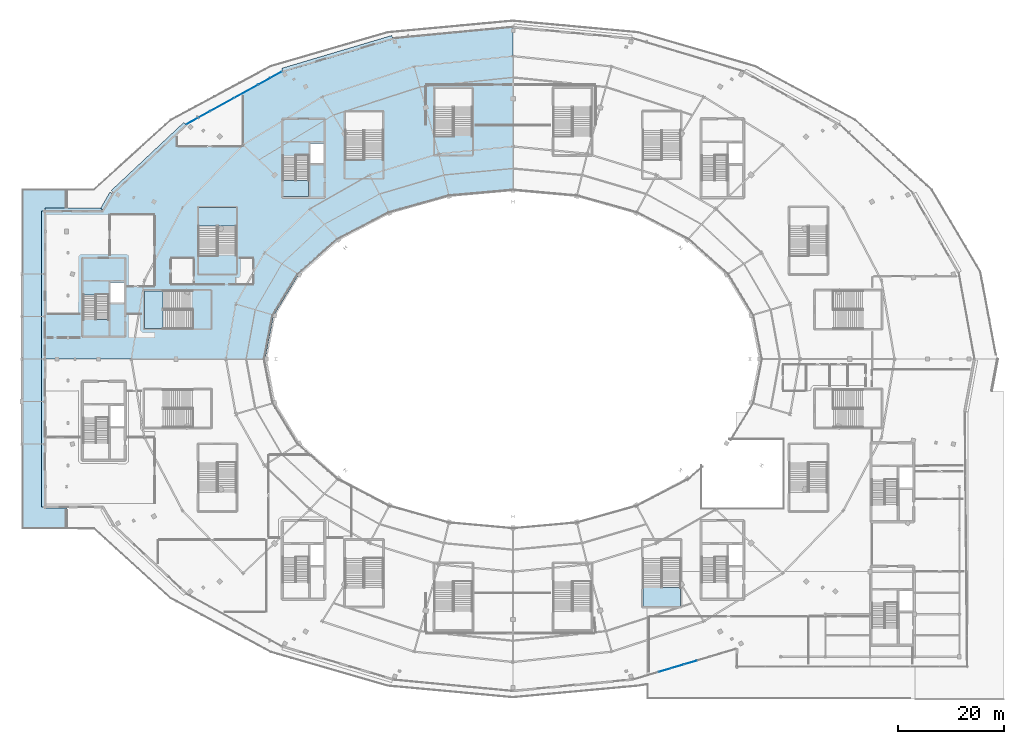
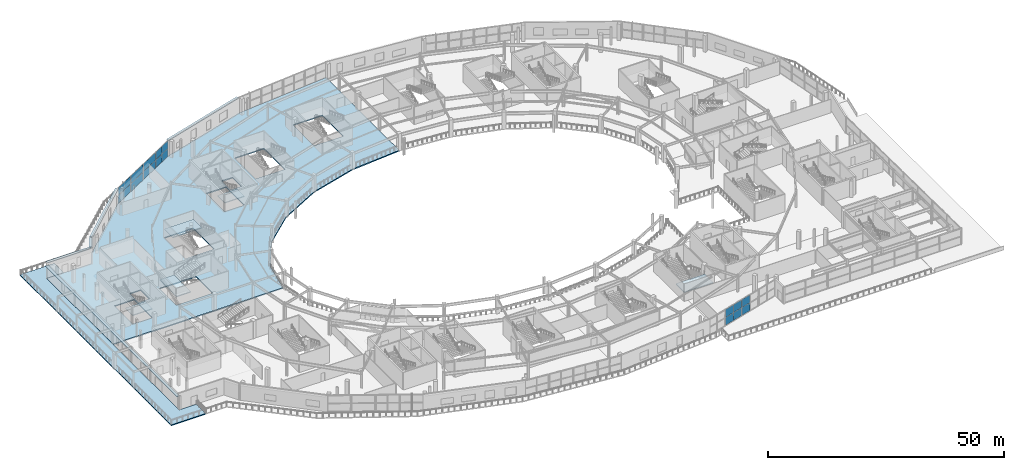
# One storey, part 63 of 107: 21 plates, 7 slabs, 11 elements without a shape of their own.
"""IFC4 building model written with IfcOpenShell, lengths in metres."""

from ifc_helpers import new_model, si_unit, direction, frame, origin, origin_2d, place, context, subcontext, project, spatial, polyline, rectangle, outline, extrude, material, layer, layer_set, type_object, element, aggregate, save


model = new_model("IFC4")

# Units and contexts
model_context = context("Model", 3, precision=1e-05, world=origin(), true_north=direction((0.0, 1.0)))
body_context = subcontext(model_context, "Body", "Model", "MODEL_VIEW")
ifc_project = project(units=[si_unit("LENGTHUNIT", "METRE"), si_unit("AREAUNIT", "SQUARE_METRE"), si_unit("VOLUMEUNIT", "CUBIC_METRE"), si_unit("PLANEANGLEUNIT", "RADIAN"), si_unit("MASSUNIT", "GRAM", prefix="KILO")], contexts=[model_context])

# Site, building, storey
site_placement = place(None, origin())
site = spatial("IfcSite", under=ifc_project, at=site_placement, CompositionType="ELEMENT")
building_placement = place(site_placement, origin())
building = spatial("IfcBuilding", under=site, at=building_placement, Name="Kalgoora Escarpment Arena", CompositionType="ELEMENT")
storey_placement = place(building_placement, frame((0.0, 0.0, 5.39990234375)))
storey = spatial("IfcBuildingStorey", under=building, at=storey_placement, Name="L01", CompositionType="ELEMENT", Elevation=5.39990234375)

# Curtain wall, plates
ifc_material_1 = material(Name=" Champagne anodised aluminium & double-glazed low-E", Category="aluminium")
ifc_layer_1 = layer(ifc_material_1, 0.157958984375)
ifc_layer_set_1 = layer_set([ifc_layer_1], Name="CW-UNIT-07")
curtain_wall_type_1 = type_object("IfcCurtainWallType", Name="CW-UNIT-07", PredefinedType="NOTDEFINED", material=ifc_layer_set_1)
curtain_wall_1_placement = place(storey_placement, origin())
curtain_wall_1 = element("IfcCurtainWall", 1, at=curtain_wall_1_placement, inside=storey, type_object=curtain_wall_type_1, Name="L01 unitised facade curtain wall 006", PredefinedType="NOTDEFINED")
ifc_material_2 = material(Name="Low-E double-glazed insulated glass", Category="glass")
ifc_layer_2 = layer(ifc_material_2, 0.028076171875)
ifc_layer_set_2 = layer_set([ifc_layer_2], Name="PLT-CW-GLAZ-28")
plate_type_1 = type_object("IfcPlateType", Name="PLT-CW-GLAZ-28", PredefinedType="CURTAIN_PANEL", material=ifc_layer_set_2)
plate_1_placement = place(storey_placement, frame((125.881591796875, 6.926025390625, 0.080078125), z_axis=(0.0, 0.0, 1.0), x_axis=(-0.958340689726, -0.285627593932, 0.0)))
plate_1 = element("IfcPlate", 2, at=plate_1_placement, type_object=plate_type_1, Name="CW-07 panel 2.1", PredefinedType="CURTAIN_PANEL", context=body_context, shape_type="SweptSolid", body=[
    extrude(rectangle(XDim=2.393798828125, YDim=0.028076171875, at=origin_2d()), origin(), (0.0, 0.0, 1.0), 2.014892578125),
])
plate_2_placement = place(storey_placement, frame((125.881591796875, 6.926025390625, 2.155029296875), z_axis=(0.0, 0.0, 1.0), x_axis=(-0.958340689726, -0.285627593932, 0.0)))
plate_2 = element("IfcPlate", 3, at=plate_2_placement, type_object=plate_type_1, Name="CW-07 panel 2.2", PredefinedType="CURTAIN_PANEL", context=body_context, shape_type="SweptSolid", body=[
    extrude(rectangle(XDim=2.393798828125, YDim=0.028076171875, at=origin_2d()), origin(), (0.0, 0.0, 1.0), 1.9951171875),
])
aggregate(curtain_wall_1, [plate_1, plate_2])

ifc_material_3 = material(Name=" Champagne anodised aluminium & double-glazed low-E", Category="aluminium")
ifc_layer_3 = layer(ifc_material_3, 0.166015625)
ifc_layer_set_3 = layer_set([ifc_layer_3], Name="CW-UNIT-19")
curtain_wall_type_2 = type_object("IfcCurtainWallType", Name="CW-UNIT-19", PredefinedType="NOTDEFINED", material=ifc_layer_set_3)
curtain_wall_2_placement = place(storey_placement, origin())
curtain_wall_2 = element("IfcCurtainWall", 4, at=curtain_wall_2_placement, inside=storey, type_object=curtain_wall_type_2, Name="L01 unitised facade curtain wall 018", PredefinedType="NOTDEFINED")
plate_3_placement = place(storey_placement, frame((37.696533203125, 111.890380859375, 0.0751953125), z_axis=(0.0, 0.0, 1.0), x_axis=(0.875436870424, 0.483332479669, 0.0)))
plate_3 = element("IfcPlate", 5, at=plate_3_placement, type_object=plate_type_1, Name="CW-19 panel 1.1", PredefinedType="CURTAIN_PANEL", context=body_context, shape_type="SweptSolid", body=[
    extrude(rectangle(XDim=4.925537109375, YDim=0.028076171875, at=origin_2d()), origin(), (0.0, 0.0, 1.0), 2.0224609375),
])
plate_4_placement = place(storey_placement, frame((37.696533203125, 111.890380859375, 2.152587890625), z_axis=(0.0, 0.0, 1.0), x_axis=(0.875436870424, 0.483332479669, 0.0)))
plate_4 = element("IfcPlate", 6, at=plate_4_placement, type_object=plate_type_1, Name="CW-19 panel 1.2", PredefinedType="CURTAIN_PANEL", context=body_context, shape_type="SweptSolid", body=[
    extrude(rectangle(XDim=4.925537109375, YDim=0.028076171875, at=origin_2d()), origin(), (0.0, 0.0, 1.0), 2.00244140625),
])
aggregate(curtain_wall_2, [plate_3, plate_4])

ifc_material_4 = material(Name=" Champagne anodised aluminium & double-glazed low-E", Category="aluminium")
ifc_layer_4 = layer(ifc_material_4, 0.154052734375)
ifc_layer_set_4 = layer_set([ifc_layer_4], Name="CW-UNIT-01")
curtain_wall_type_3 = type_object("IfcCurtainWallType", Name="CW-UNIT-01", PredefinedType="NOTDEFINED", material=ifc_layer_set_4)
curtain_wall_3_placement = place(storey_placement, origin())
curtain_wall_3 = element("IfcCurtainWall", 7, at=curtain_wall_3_placement, inside=storey, type_object=curtain_wall_type_3, Name="L01 unitised facade curtain wall 020", PredefinedType="NOTDEFINED")
plate_5_placement = place(storey_placement, frame((45.626708984375, 116.268798828125, 0.080078125), z_axis=(0.0, 0.0, 1.0), x_axis=(0.875430805123, 0.483343465293, 0.0)))
plate_5 = element("IfcPlate", 8, at=plate_5_placement, type_object=plate_type_1, Name="CW-01 panel 1.1", PredefinedType="CURTAIN_PANEL", context=body_context, shape_type="SweptSolid", body=[
    extrude(rectangle(XDim=2.4501953125, YDim=0.028076171875, at=origin_2d()), origin(), (0.0, 0.0, 1.0), 2.014892578125),
])
plate_6_placement = place(storey_placement, frame((45.626708984375, 116.268798828125, 2.155029296875), z_axis=(0.0, 0.0, 1.0), x_axis=(0.875430805123, 0.483343465293, 0.0)))
plate_6 = element("IfcPlate", 9, at=plate_6_placement, type_object=plate_type_1, Name="CW-01 panel 1.2", PredefinedType="CURTAIN_PANEL", context=body_context, shape_type="SweptSolid", body=[
    extrude(rectangle(XDim=2.4501953125, YDim=0.028076171875, at=origin_2d()), origin(), (0.0, 0.0, 1.0), 1.9951171875),
])
plate_7_placement = place(storey_placement, frame((47.82861328125, 117.484619140625, 0.080078125), z_axis=(0.0, 0.0, 1.0), x_axis=(0.875430805123, 0.483343465293, 0.0)))
plate_7 = element("IfcPlate", 10, at=plate_7_placement, type_object=plate_type_1, Name="CW-01 panel 2.1", PredefinedType="CURTAIN_PANEL", context=body_context, shape_type="SweptSolid", body=[
    extrude(rectangle(XDim=2.4501953125, YDim=0.028076171875, at=origin_2d()), origin(), (0.0, 0.0, 1.0), 2.014892578125),
])
plate_8_placement = place(storey_placement, frame((47.82861328125, 117.484619140625, 2.155029296875), z_axis=(0.0, 0.0, 1.0), x_axis=(0.875430805123, 0.483343465293, 0.0)))
plate_8 = element("IfcPlate", 11, at=plate_8_placement, type_object=plate_type_1, Name="CW-01 panel 2.2", PredefinedType="CURTAIN_PANEL", context=body_context, shape_type="SweptSolid", body=[
    extrude(rectangle(XDim=2.4501953125, YDim=0.028076171875, at=origin_2d()), origin(), (0.0, 0.0, 1.0), 1.9951171875),
])
aggregate(curtain_wall_3, [plate_5, plate_6, plate_7, plate_8])

ifc_material_5 = material(Name=" Champagne anodised aluminium & double-glazed low-E", Category="aluminium")
ifc_layer_5 = layer(ifc_material_5, 0.162109375)
ifc_layer_set_5 = layer_set([ifc_layer_5], Name="CW-UNIT-08")
curtain_wall_type_4 = type_object("IfcCurtainWallType", Name="CW-UNIT-08", PredefinedType="NOTDEFINED", material=ifc_layer_set_5)
curtain_wall_4_placement = place(storey_placement, origin())
curtain_wall_4 = element("IfcCurtainWall", 12, at=curtain_wall_4_placement, inside=storey, type_object=curtain_wall_type_4, Name="L01 unitised facade curtain wall 007", PredefinedType="NOTDEFINED")
ifc_material_6 = material(Name="Acoustic laminated solar-control glass", Category="glass")
ifc_layer_6 = layer(ifc_material_6, 0.033935546875)
ifc_layer_set_6 = layer_set([ifc_layer_6], Name="PLT-CW-GLAZ-34")
plate_type_2 = type_object("IfcPlateType", Name="PLT-CW-GLAZ-34", PredefinedType="CURTAIN_PANEL", material=ifc_layer_set_6)
plate_9_placement = place(storey_placement, frame((123.3671875, 6.1767578125, 0.080078125), z_axis=(0.0, 0.0, 1.0), x_axis=(-0.958342327115, -0.28562210009, 0.0)))
plate_9 = element("IfcPlate", 13, at=plate_9_placement, type_object=plate_type_2, Name="CW-08 panel 1.1", PredefinedType="CURTAIN_PANEL", context=body_context, shape_type="SweptSolid", body=[
    extrude(rectangle(XDim=2.393798828125, YDim=0.033935546875, at=origin_2d()), origin(), (0.0, 0.0, 1.0), 2.014892578125),
])
plate_10_placement = place(storey_placement, frame((123.3671875, 6.1767578125, 2.155029296875), z_axis=(0.0, 0.0, 1.0), x_axis=(-0.958342327115, -0.28562210009, 0.0)))
plate_10 = element("IfcPlate", 14, at=plate_10_placement, type_object=plate_type_2, Name="CW-08 panel 1.2", PredefinedType="CURTAIN_PANEL", context=body_context, shape_type="SweptSolid", body=[
    extrude(rectangle(XDim=2.393798828125, YDim=0.033935546875, at=origin_2d()), origin(), (0.0, 0.0, 1.0), 1.9951171875),
])
plate_11_placement = place(storey_placement, frame((121.010986328125, 5.474365234375, 0.080078125), z_axis=(0.0, 0.0, 1.0), x_axis=(-0.958342327115, -0.28562210009, 0.0)))
plate_11 = element("IfcPlate", 15, at=plate_11_placement, type_object=plate_type_2, Name="CW-08 panel 2.1", PredefinedType="CURTAIN_PANEL", context=body_context, shape_type="SweptSolid", body=[
    extrude(rectangle(XDim=2.393798828125, YDim=0.033935546875, at=origin_2d()), origin(), (0.0, 0.0, 1.0), 2.014892578125),
])
plate_12_placement = place(storey_placement, frame((121.010986328125, 5.474365234375, 2.155029296875), z_axis=(0.0, 0.0, 1.0), x_axis=(-0.958342327115, -0.28562210009, 0.0)))
plate_12 = element("IfcPlate", 16, at=plate_12_placement, type_object=plate_type_2, Name="CW-08 panel 2.2", PredefinedType="CURTAIN_PANEL", context=body_context, shape_type="SweptSolid", body=[
    extrude(rectangle(XDim=2.393798828125, YDim=0.033935546875, at=origin_2d()), origin(), (0.0, 0.0, 1.0), 1.9951171875),
])
aggregate(curtain_wall_4, [plate_9, plate_10, plate_11, plate_12])

ifc_material_7 = material(Name=" Champagne anodised aluminium & double-glazed low-E", Category="aluminium")
ifc_layer_7 = layer(ifc_material_7, 0.162109375)
ifc_layer_set_7 = layer_set([ifc_layer_7], Name="CW-UNIT-18")
curtain_wall_type_5 = type_object("IfcCurtainWallType", Name="CW-UNIT-18", PredefinedType="NOTDEFINED", material=ifc_layer_set_7)
curtain_wall_5_placement = place(storey_placement, origin())
curtain_wall_5 = element("IfcCurtainWall", 17, at=curtain_wall_5_placement, inside=storey, type_object=curtain_wall_type_5, Name="L01 unitised facade curtain wall 017", PredefinedType="NOTDEFINED")
plate_13_placement = place(storey_placement, frame((33.170166015625, 109.391357421875, 0.0751953125), z_axis=(0.0, 0.0, 1.0), x_axis=(0.87542250109, 0.483358505238, 0.0)))
plate_13 = element("IfcPlate", 18, at=plate_13_placement, type_object=plate_type_2, Name="CW-18 panel 1.1", PredefinedType="CURTAIN_PANEL", context=body_context, shape_type="SweptSolid", body=[
    extrude(rectangle(XDim=4.9755859375, YDim=0.033935546875, at=origin_2d()), origin(), (0.0, 0.0, 1.0), 2.0224609375),
])
plate_14_placement = place(storey_placement, frame((33.170166015625, 109.391357421875, 2.152587890625), z_axis=(0.0, 0.0, 1.0), x_axis=(0.87542250109, 0.483358505238, 0.0)))
plate_14 = element("IfcPlate", 19, at=plate_14_placement, type_object=plate_type_2, Name="CW-18 panel 1.2", PredefinedType="CURTAIN_PANEL", context=body_context, shape_type="SweptSolid", body=[
    extrude(rectangle(XDim=4.9755859375, YDim=0.033935546875, at=origin_2d()), origin(), (0.0, 0.0, 1.0), 2.00244140625),
])
aggregate(curtain_wall_5, [plate_13, plate_14])

ifc_material_8 = material(Name=" Champagne anodised aluminium & double-glazed low-E", Category="aluminium")
ifc_layer_8 = layer(ifc_material_8, 0.14990234375)
ifc_layer_set_8 = layer_set([ifc_layer_8], Name="CW-UNIT-20")
curtain_wall_type_6 = type_object("IfcCurtainWallType", Name="CW-UNIT-20", PredefinedType="NOTDEFINED", material=ifc_layer_set_8)
curtain_wall_6_placement = place(storey_placement, origin())
curtain_wall_6 = element("IfcCurtainWall", 20, at=curtain_wall_6_placement, inside=storey, type_object=curtain_wall_type_6, Name="L01 unitised facade curtain wall 019", PredefinedType="NOTDEFINED")
plate_15_placement = place(storey_placement, frame((42.201171875, 114.37744140625, 0.0751953125), z_axis=(0.0, 0.0, 1.0), x_axis=(0.875436870424, 0.483332479669, 0.0)))
plate_15 = element("IfcPlate", 21, at=plate_15_placement, type_object=plate_type_2, Name="CW-20 panel 1.1", PredefinedType="CURTAIN_PANEL", context=body_context, shape_type="SweptSolid", body=[
    extrude(rectangle(XDim=4.925537109375, YDim=0.033935546875, at=origin_2d()), origin(), (0.0, 0.0, 1.0), 2.0224609375),
])
plate_16_placement = place(storey_placement, frame((42.201171875, 114.37744140625, 2.152587890625), z_axis=(0.0, 0.0, 1.0), x_axis=(0.875436870424, 0.483332479669, 0.0)))
plate_16 = element("IfcPlate", 22, at=plate_16_placement, type_object=plate_type_2, Name="CW-20 panel 1.2", PredefinedType="CURTAIN_PANEL", context=body_context, shape_type="SweptSolid", body=[
    extrude(rectangle(XDim=4.925537109375, YDim=0.033935546875, at=origin_2d()), origin(), (0.0, 0.0, 1.0), 2.00244140625),
])
aggregate(curtain_wall_6, [plate_15, plate_16])

# Plates
ifc_material_9 = material(Name="Champagne anodised Art Deco solar brise-soleil hood", Category="aluminium")
ifc_layer_9 = layer(ifc_material_9, 0.1201171875)
ifc_layer_set_9 = layer_set([ifc_layer_9], Name="PLT-DECO-EYEBROW")
plate_type_3 = type_object("IfcPlateType", Name="PLT-DECO-EYEBROW", PredefinedType="SHEET", material=ifc_layer_set_9)
plate_17_placement = place(storey_placement, frame((4.090087890625, 64.0, 3.39306640625), z_axis=(0.0, 0.0, 1.0), x_axis=(0.0, 1.0, 0.0)))
element("IfcPlate", 23, at=plate_17_placement, inside=storey, type_object=plate_type_3, Name="L01 Art Deco horizontal solar brise-soleil eyebrow 031", PredefinedType="SHEET", context=body_context, shape_type="SweptSolid", body=[
    extrude(rectangle(XDim=55.699951171875, YDim=0.719970703125, at=origin_2d()), origin(), (0.0, 0.0, 1.0), 0.1201171875),
])
plate_18_placement = place(storey_placement, frame((9.677978515625, 92.110107421875, 3.969970703125), z_axis=(0.0, 0.0, 1.0), x_axis=(1.0, 0.0, 0.0)))
element("IfcPlate", 24, at=plate_18_placement, inside=storey, type_object=plate_type_3, Name="L01 Art Deco horizontal solar brise-soleil eyebrow 032", PredefinedType="SHEET", context=body_context, shape_type="SweptSolid", body=[
    extrude(rectangle(XDim=10.656005859375, YDim=0.719970703125, at=origin_2d()), origin(), (0.0, 0.0, 1.0), 0.1201171875),
])
plate_19_placement = place(storey_placement, frame((15.999755859375, 93.711181640625, 3.969970703125), z_axis=(0.0, 0.0, 1.0), x_axis=(0.498941577478, 0.866635622545, 0.0)))
element("IfcPlate", 25, at=plate_19_placement, inside=storey, type_object=plate_type_3, Name="L01 Art Deco horizontal solar brise-soleil eyebrow 033", PredefinedType="SHEET", context=body_context, shape_type="SweptSolid", body=[
    extrude(rectangle(XDim=3.508056640625, YDim=0.719970703125, at=origin_2d()), origin(), (0.0, 0.0, 1.0), 0.1201171875),
])
plate_20_placement = place(storey_placement, frame((23.8935546875, 101.86279296875, 3.969970703125), z_axis=(0.0, 0.0, 1.0), x_axis=(0.729446353773, 0.684038023042, 0.0)))
element("IfcPlate", 26, at=plate_20_placement, inside=storey, type_object=plate_type_3, Name="L01 Art Deco horizontal solar brise-soleil eyebrow 034", PredefinedType="SHEET", context=body_context, shape_type="SweptSolid", body=[
    extrude(rectangle(XDim=18.654052734375, YDim=0.719970703125, at=origin_2d()), origin(), (0.0, 0.0, 1.0), 0.1201171875),
])
plate_21_placement = place(storey_placement, frame((59.3564453125, 121.45751953125, 3.969970703125), z_axis=(0.0, 0.0, 1.0), x_axis=(0.958322574465, 0.285688367405, 0.0)))
element("IfcPlate", 27, at=plate_21_placement, inside=storey, type_object=plate_type_3, Name="L01 Art Deco horizontal solar brise-soleil eyebrow 035", PredefinedType="SHEET", context=body_context, shape_type="SweptSolid", body=[
    extrude(rectangle(XDim=21.594970703125, YDim=0.719970703125, at=origin_2d()), origin(), (0.0, 0.0, 1.0), 0.1201171875),
])

# Slab
ifc_material_10 = material(Name="Concrete N40 (fc' 40 MPa)", Category="concrete")
ifc_layer_10 = layer(ifc_material_10, 0.27001953125)
ifc_layer_set_10 = layer_set([ifc_layer_10], Name="SLB-CONC-270")
slab_type_1 = type_object("IfcSlabType", Name="SLB-CONC-270", PredefinedType="FLOOR", material=ifc_layer_set_10)
slab_1_placement = place(storey_placement, frame((0.0, 0.0, -0.27001953125)))
element("IfcSlab", 28, at=slab_1_placement, inside=storey, type_object=slab_type_1, Name="L01 concourse ring NW floor slab", PredefinedType="FLOOR", context=body_context, shape_type="SweptSolid", body=[
    extrude(outline(polyline([(4.199951171875, 92.0), (15.156005859375, 92.0), (17.055908203125, 95.300048828125), (30.881591796875, 108.264892578125), (48.89990234375, 118.213134765625), (69.8828125, 124.467041015625), (92.39990234375, 126.60009765625), (92.39990234375, 95.60009765625), (80.339111328125, 94.523193359375), (69.10009765625, 91.366455078125), (59.44873046875, 86.344482421875), (52.043212890625, 79.800048828125), (47.387939453125, 72.1787109375), (45.800048828125, 64.0), (4.199951171875, 64.0), (4.199951171875, 92.0)]), holes=[polyline([(11.550048828125, 76.050048828125), (11.550048828125, 68.35009765625), (16.35009765625, 68.35009765625), (16.35009765625, 76.050048828125), (11.550048828125, 76.050048828125)]), polyline([(23.050048828125, 76.85009765625), (23.050048828125, 69.75), (31.949951171875, 69.75), (31.949951171875, 76.85009765625), (23.050048828125, 76.85009765625)]), polyline([(16.64990234375, 78.39990234375), (16.64990234375, 74.60009765625), (19.25, 74.60009765625), (19.25, 78.39990234375), (16.64990234375, 78.39990234375)]), polyline([(33.25, 92.550048828125), (33.25, 83.64990234375), (40.35009765625, 83.64990234375), (40.35009765625, 92.550048828125), (33.25, 92.550048828125)]), polyline([(49.14990234375, 102.25), (49.14990234375, 94.550048828125), (53.949951171875, 94.550048828125), (53.949951171875, 102.25), (49.14990234375, 102.25)]), polyline([(54.25, 104.60009765625), (54.25, 100.800048828125), (56.85009765625, 100.800048828125), (56.85009765625, 104.60009765625), (54.25, 104.60009765625)]), polyline([(60.85009765625, 110.550048828125), (60.85009765625, 101.64990234375), (67.949951171875, 101.64990234375), (67.949951171875, 110.550048828125), (60.85009765625, 110.550048828125)]), polyline([(77.64990234375, 114.949951171875), (77.64990234375, 106.050048828125), (84.75, 106.050048828125), (84.75, 114.949951171875), (77.64990234375, 114.949951171875)])]), origin(), (0.0, 0.0, 1.0), 0.27001953125),
])

# Stair, slab
ifc_material_11 = material(Name="Concrete N40 (fc' 40 MPa)", Category="concrete")
stair_type_1 = type_object("IfcStairType", Name="STR-EXIT-1", PredefinedType="HALF_TURN_STAIR", material=ifc_material_11)
stair_1_placement = place(storey_placement, origin())
stair_1 = element("IfcStair", 29, at=stair_1_placement, inside=storey, type_object=stair_type_1, Name="Fire-isolated exit stair ST01 (L01)", PredefinedType="HALF_TURN_STAIR")
ifc_material_12 = material(Name="Concrete N40 (fc' 40 MPa)", Category="concrete")
ifc_layer_11 = layer(ifc_material_12, 0.219970703125)
ifc_layer_set_11 = layer_set([ifc_layer_11], Name="SLB-ST-LAND-220")
slab_type_2 = type_object("IfcSlabType", Name="SLB-ST-LAND-220", PredefinedType="LANDING", material=ifc_layer_set_11)
slab_2_placement = place(storey_placement, frame((0.0, 0.0, 2.030029296875)))
slab_2 = element("IfcSlab", 30, at=slab_2_placement, type_object=slab_type_2, Name="ST01 L01 half-landing", PredefinedType="LANDING", context=body_context, shape_type="SweptSolid", body=[
    extrude(outline(polyline([(16.35009765625, 71.43994140625), (16.35009765625, 68.35009765625), (11.550048828125, 68.35009765625), (11.550048828125, 71.43994140625), (16.35009765625, 71.43994140625)])), origin(), (0.0, 0.0, 1.0), 0.219970703125),
])
aggregate(stair_1, [slab_2])

ifc_material_13 = material(Name="Concrete N40 (fc' 40 MPa)", Category="concrete")
stair_type_2 = type_object("IfcStairType", Name="STR-EXIT-3", PredefinedType="HALF_TURN_STAIR", material=ifc_material_13)
stair_2_placement = place(storey_placement, origin())
stair_2 = element("IfcStair", 31, at=stair_2_placement, inside=storey, type_object=stair_type_2, Name="Fire-isolated exit stair ST03 (L01)", PredefinedType="HALF_TURN_STAIR")
slab_3_placement = place(storey_placement, frame((0.0, 0.0, 2.030029296875)))
slab_3 = element("IfcSlab", 32, at=slab_3_placement, type_object=slab_type_2, Name="ST03 L01 half-landing", PredefinedType="LANDING", context=body_context, shape_type="SweptSolid", body=[
    extrude(outline(polyline([(53.949951171875, 97.639892578125), (53.949951171875, 94.550048828125), (49.14990234375, 94.550048828125), (49.14990234375, 97.639892578125), (53.949951171875, 97.639892578125)])), origin(), (0.0, 0.0, 1.0), 0.219970703125),
])
aggregate(stair_2, [slab_3])

ifc_material_14 = material(Name="Precast concrete N50 (fc' 50 MPa)", Category="concrete")
stair_type_3 = type_object("IfcStairType", Name="STR-STAD-4", PredefinedType="HALF_TURN_STAIR", material=ifc_material_14)
stair_3_placement = place(storey_placement, origin())
stair_3 = element("IfcStair", 33, at=stair_3_placement, inside=storey, type_object=stair_type_3, Name="Fire-isolated exit stair ST16 (L01)", PredefinedType="HALF_TURN_STAIR")
slab_4_placement = place(storey_placement, frame((0.0, 0.0, 2.030029296875)))
slab_4 = element("IfcSlab", 34, at=slab_4_placement, type_object=slab_type_2, Name="ST16 L01 half-landing", PredefinedType="LANDING", context=body_context, shape_type="SweptSolid", body=[
    extrude(outline(polyline([(123.949951171875, 21.0), (123.949951171875, 17.449951171875), (116.85009765625, 17.449951171875), (116.85009765625, 21.0), (123.949951171875, 21.0)])), origin(), (0.0, 0.0, 1.0), 0.219970703125),
])
aggregate(stair_3, [slab_4])

ifc_material_15 = material(Name="Precast concrete N50 (fc' 50 MPa)", Category="concrete")
stair_type_4 = type_object("IfcStairType", Name="STR-STAD-1", PredefinedType="HALF_TURN_STAIR", material=ifc_material_15)
stair_4_placement = place(storey_placement, origin())
stair_4 = element("IfcStair", 35, at=stair_4_placement, inside=storey, type_object=stair_type_4, Name="Fire-isolated exit stair ST17 (L01)", PredefinedType="HALF_TURN_STAIR")
slab_5_placement = place(storey_placement, frame((0.0, 0.0, 2.030029296875)))
slab_5 = element("IfcSlab", 36, at=slab_5_placement, type_object=slab_type_2, Name="ST17 L01 half-landing", PredefinedType="LANDING", context=body_context, shape_type="SweptSolid", body=[
    extrude(outline(polyline([(26.60009765625, 69.75), (23.050048828125, 69.75), (23.050048828125, 76.85009765625), (26.60009765625, 76.85009765625), (26.60009765625, 69.75)])), origin(), (0.0, 0.0, 1.0), 0.219970703125),
])
aggregate(stair_4, [slab_5])

ifc_material_16 = material(Name="Precast concrete N50 (fc' 50 MPa)", Category="concrete")
stair_type_5 = type_object("IfcStairType", Name="STR-STAD-3", PredefinedType="HALF_TURN_STAIR", material=ifc_material_16)
stair_5_placement = place(storey_placement, origin())
stair_5 = element("IfcStair", 37, at=stair_5_placement, inside=storey, type_object=stair_type_5, Name="Fire-isolated exit stair ST19 (L01)", PredefinedType="HALF_TURN_STAIR")
slab_6_placement = place(storey_placement, frame((0.0, 0.0, 2.030029296875)))
slab_6 = element("IfcSlab", 38, at=slab_6_placement, type_object=slab_type_2, Name="ST19 L01 half-landing", PredefinedType="LANDING", context=body_context, shape_type="SweptSolid", body=[
    extrude(outline(polyline([(33.25, 89.0), (33.25, 92.550048828125), (40.35009765625, 92.550048828125), (40.35009765625, 89.0), (33.25, 89.0)])), origin(), (0.0, 0.0, 1.0), 0.219970703125),
])
aggregate(stair_5, [slab_6])

# Slab
ifc_material_17 = material(Name="Concrete N40 (fc' 40 MPa)", Category="concrete")
ifc_layer_12 = layer(ifc_material_17, 0.25)
ifc_layer_set_12 = layer_set([ifc_layer_12], Name="SLB-TERR-250")
slab_type_3 = type_object("IfcSlabType", Name="SLB-TERR-250", PredefinedType="FLOOR", material=ifc_layer_set_12)
slab_7_placement = place(storey_placement, frame((0.0, 0.0, -0.25)))
element("IfcSlab", 39, at=slab_7_placement, inside=storey, type_object=slab_type_3, Name="L01 Upper Foyer Escarpment Plaza terrace slab", PredefinedType="FLOOR", context=body_context, shape_type="SweptSolid", body=[
    extrude(outline(polyline([(0.0, 96.0), (8.39990234375, 96.0), (8.39990234375, 92.0), (4.199951171875, 92.0), (4.199951171875, 36.0), (8.39990234375, 36.0), (8.39990234375, 32.0), (0.0, 32.0), (0.0, 96.0)])), origin(), (0.0, 0.0, 1.0), 0.25),
])

save(model, "model.ifc")
